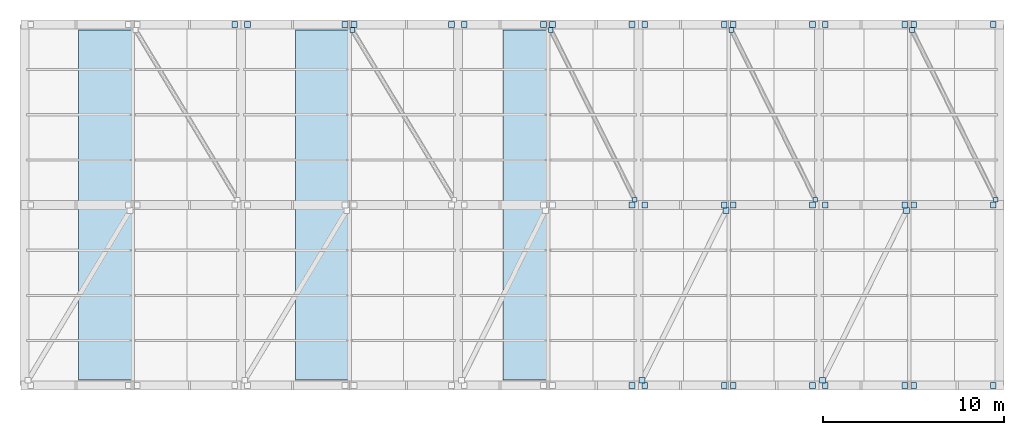
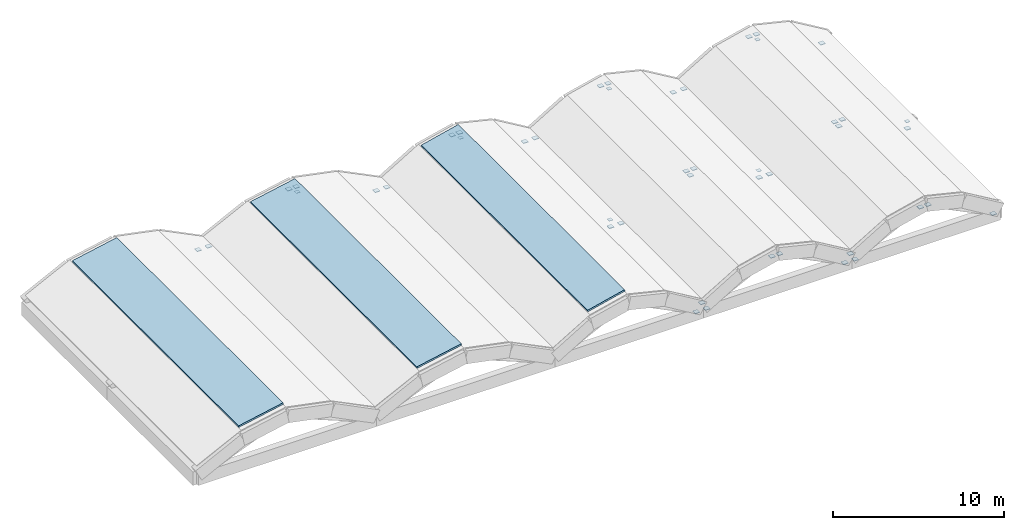
# One storey, part 3 of 3: 46 plates, 3 roofs.
"""IFC4 building model written with IfcOpenShell, lengths in metres."""

from ifc_helpers import new_model, si_unit, direction, frame, origin, origin_2d, place, context, subcontext, project, spatial, polyline, rectangle, outline, extrude, material, layer, layer_set, type_object, element, save


model = new_model("IFC4")

# Units and contexts
model_context = context("Model", 3, precision=1e-05, world=origin(), true_north=direction((0.0, 1.0)))
body_context = subcontext(model_context, "Body", "Model", "MODEL_VIEW")
ifc_project = project(units=[si_unit("LENGTHUNIT", "METRE"), si_unit("AREAUNIT", "SQUARE_METRE"), si_unit("VOLUMEUNIT", "CUBIC_METRE"), si_unit("PLANEANGLEUNIT", "RADIAN"), si_unit("MASSUNIT", "GRAM", prefix="KILO")], contexts=[model_context])

# Site, building, storey
site_placement = place(None, origin())
site = spatial("IfcSite", under=ifc_project, at=site_placement, CompositionType="ELEMENT")
building_placement = place(site_placement, origin())
building = spatial("IfcBuilding", under=site, at=building_placement, Name="Mersad Railyard Sports Hall", CompositionType="ELEMENT")
storey_placement = place(building_placement, frame((0.0, 0.0, 25.800048828125)))
storey = spatial("IfcBuildingStorey", under=building, at=storey_placement, Name="RF", CompositionType="ELEMENT", Elevation=25.800048828125)

# Plates
ifc_material_1 = material(Name="Steel S355", Category="steel")
ifc_layer_1 = layer(ifc_material_1, 0.02392578125)
ifc_layer_set_1 = layer_set([ifc_layer_1], Name="Steel S355")
plate_type_1 = type_object("IfcPlateType", Name="STR-PL-KP04", PredefinedType="SHEET", material=ifc_layer_set_1)
for number, where, z_axis, x_axis, name in (
    (1, (85.14990234375, 114.699951171875, 1.587890625), (0.0, 0.0, 1.0), (1.0, 0.0, 0.0), "End cap plate KP04-0245"),
    (2, (96.14990234375, 114.699951171875, 1.587890625), (0.0, 0.0, 1.0), (1.0, 0.0, 0.0), "End cap plate KP04-0249"),
    (3, (100.800048828125, 105.300048828125, -0.162109375), (0.0, 0.0, 1.0), (1.0, 0.0, 0.0), "End cap plate KP04-0250"),
    (4, (106.14990234375, 114.699951171875, 1.587890625), (0.0, 0.0, 1.0), (1.0, 0.0, 0.0), "End cap plate KP04-0253"),
    (5, (110.800048828125, 105.300048828125, -0.162109375), (0.0, 0.0, 1.0), (1.0, 0.0, 0.0), "End cap plate KP04-0254"),
    (6, (116.14990234375, 114.699951171875, 1.587890625), (0.0, 0.0, 1.0), (1.0, 0.0, 0.0), "End cap plate KP04-0257"),
    (7, (120.800048828125, 105.300048828125, -0.162109375), (0.0, 0.0, 1.0), (1.0, 0.0, 0.0), "End cap plate KP04-0258"),
):
    element("IfcPlate", number, at=place(storey_placement, frame(where, z_axis=z_axis, x_axis=x_axis)), inside=storey, type_object=plate_type_1, Name=name, PredefinedType="SHEET", context=body_context, shape_type="SweptSolid", body=[
        extrude(rectangle(XDim=0.260009765625, YDim=0.260009765625, at=origin_2d()), origin(), (0.0, 0.0, 1.0), 0.02392578125),
    ])
ifc_layer_2 = layer(ifc_material_1, 0.0400390625)
ifc_layer_set_2 = layer_set([ifc_layer_2], Name="Steel S355")
plate_type_2 = type_object("IfcPlateType", Name="STR-PL-KP06", PredefinedType="SHEET", material=ifc_layer_set_2)
for number, where, z_axis, x_axis, name in (
    (8, (78.64990234375, 115.0, -0.440185546875), (0.0, 0.0, 1.0), (1.0, 0.0, 0.0), "End cap plate KP06-0067"),
    (9, (79.35009765625, 115.0, -0.440185546875), (0.0, 0.0, 1.0), (1.0, 0.0, 0.0), "End cap plate KP06-0077"),
    (10, (84.75, 115.0, 1.72998046875), (0.0, 0.0, 1.0), (1.0, 0.0, 0.0), "End cap plate KP06-0078"),
    (11, (90.64990234375, 115.0, -0.440185546875), (0.0, 0.0, 1.0), (1.0, 0.0, 0.0), "End cap plate KP06-0079"),
    (12, (85.25, 115.0, 1.72998046875), (0.0, 0.0, 1.0), (1.0, 0.0, 0.0), "End cap plate KP06-0080"),
    (13, (100.64990234375, 95.0, -0.440185546875), (0.0, 0.0, 1.0), (1.0, 0.0, 0.0), "End cap plate KP06-0083"),
    (14, (100.64990234375, 105.0, -0.440185546875), (0.0, 0.0, 1.0), (1.0, 0.0, 0.0), "End cap plate KP06-0087"),
    (15, (91.35009765625, 115.0, -0.440185546875), (0.0, 0.0, 1.0), (1.0, 0.0, 0.0), "End cap plate KP06-0089"),
    (16, (95.75, 115.0, 1.72998046875), (0.0, 0.0, 1.0), (1.0, 0.0, 0.0), "End cap plate KP06-0090"),
    (17, (100.64990234375, 115.0, -0.440185546875), (0.0, 0.0, 1.0), (1.0, 0.0, 0.0), "End cap plate KP06-0091"),
    (18, (96.25, 115.0, 1.72998046875), (0.0, 0.0, 1.0), (1.0, 0.0, 0.0), "End cap plate KP06-0092"),
    (19, (101.35009765625, 95.0, -0.440185546875), (0.0, 0.0, 1.0), (1.0, 0.0, 0.0), "End cap plate KP06-0093"),
    (20, (105.75, 95.0, 1.72998046875), (0.0, 0.0, 1.0), (1.0, 0.0, 0.0), "End cap plate KP06-0094"),
    (21, (110.64990234375, 95.0, -0.440185546875), (0.0, 0.0, 1.0), (1.0, 0.0, 0.0), "End cap plate KP06-0095"),
    (22, (106.25, 95.0, 1.72998046875), (0.0, 0.0, 1.0), (1.0, 0.0, 0.0), "End cap plate KP06-0096"),
    (23, (101.35009765625, 105.0, -0.440185546875), (0.0, 0.0, 1.0), (1.0, 0.0, 0.0), "End cap plate KP06-0097"),
    (24, (105.75, 105.0, 1.72998046875), (0.0, 0.0, 1.0), (1.0, 0.0, 0.0), "End cap plate KP06-0098"),
    (25, (110.64990234375, 105.0, -0.440185546875), (0.0, 0.0, 1.0), (1.0, 0.0, 0.0), "End cap plate KP06-0099"),
    (26, (106.25, 105.0, 1.72998046875), (0.0, 0.0, 1.0), (1.0, 0.0, 0.0), "End cap plate KP06-0100"),
    (27, (101.35009765625, 115.0, -0.440185546875), (0.0, 0.0, 1.0), (1.0, 0.0, 0.0), "End cap plate KP06-0101"),
    (28, (105.75, 115.0, 1.72998046875), (0.0, 0.0, 1.0), (1.0, 0.0, 0.0), "End cap plate KP06-0102"),
    (29, (110.64990234375, 115.0, -0.440185546875), (0.0, 0.0, 1.0), (1.0, 0.0, 0.0), "End cap plate KP06-0103"),
    (30, (106.25, 115.0, 1.72998046875), (0.0, 0.0, 1.0), (1.0, 0.0, 0.0), "End cap plate KP06-0104"),
    (31, (111.35009765625, 95.0, -0.440185546875), (0.0, 0.0, 1.0), (1.0, 0.0, 0.0), "End cap plate KP06-0105"),
    (32, (115.75, 95.0, 1.72998046875), (0.0, 0.0, 1.0), (1.0, 0.0, 0.0), "End cap plate KP06-0106"),
    (33, (120.64990234375, 95.0, -0.440185546875), (0.0, 0.0, 1.0), (1.0, 0.0, 0.0), "End cap plate KP06-0107"),
    (34, (116.25, 95.0, 1.72998046875), (0.0, 0.0, 1.0), (1.0, 0.0, 0.0), "End cap plate KP06-0108"),
    (35, (111.35009765625, 105.0, -0.440185546875), (0.0, 0.0, 1.0), (1.0, 0.0, 0.0), "End cap plate KP06-0109"),
    (36, (115.75, 105.0, 1.72998046875), (0.0, 0.0, 1.0), (1.0, 0.0, 0.0), "End cap plate KP06-0110"),
    (37, (120.64990234375, 105.0, -0.440185546875), (0.0, 0.0, 1.0), (1.0, 0.0, 0.0), "End cap plate KP06-0111"),
    (38, (116.25, 105.0, 1.72998046875), (0.0, 0.0, 1.0), (1.0, 0.0, 0.0), "End cap plate KP06-0112"),
    (39, (111.35009765625, 115.0, -0.440185546875), (0.0, 0.0, 1.0), (1.0, 0.0, 0.0), "End cap plate KP06-0113"),
    (40, (115.75, 115.0, 1.72998046875), (0.0, 0.0, 1.0), (1.0, 0.0, 0.0), "End cap plate KP06-0114"),
    (41, (120.64990234375, 115.0, -0.440185546875), (0.0, 0.0, 1.0), (1.0, 0.0, 0.0), "End cap plate KP06-0115"),
    (42, (116.25, 115.0, 1.72998046875), (0.0, 0.0, 1.0), (1.0, 0.0, 0.0), "End cap plate KP06-0116"),
    (43, (101.199951171875, 95.300048828125, -0.170166015625), (0.0, 0.0, 1.0), (1.0, 0.0, 0.0), "End cap plate KP06-0251"),
    (44, (105.85009765625, 104.699951171875, 1.579833984375), (0.0, 0.0, 1.0), (1.0, 0.0, 0.0), "End cap plate KP06-0252"),
    (45, (111.199951171875, 95.300048828125, -0.170166015625), (0.0, 0.0, 1.0), (1.0, 0.0, 0.0), "End cap plate KP06-0255"),
    (46, (115.85009765625, 104.699951171875, 1.579833984375), (0.0, 0.0, 1.0), (1.0, 0.0, 0.0), "End cap plate KP06-0256"),
):
    element("IfcPlate", number, at=place(storey_placement, frame(where, z_axis=z_axis, x_axis=x_axis)), inside=storey, type_object=plate_type_2, Name=name, PredefinedType="SHEET", context=body_context, shape_type="SweptSolid", body=[
        extrude(rectangle(XDim=0.320068359375, YDim=0.320068359375, at=origin_2d()), origin(), (0.0, 0.0, 1.0), 0.0400390625),
    ])

# Roofs
ifc_material_2 = material(Name="Architectural concrete C50/60", Category="concrete")
ifc_layer_3 = layer(ifc_material_2, 0.1201171875)
ifc_layer_set_3 = layer_set([ifc_layer_3], Name="Architectural concrete C50/60")
roof_type = type_object("IfcRoofType", Name="ARC-RF-BV01", PredefinedType="BARREL_ROOF", material=ifc_layer_set_3)
for number, where, z_axis, x_axis, name in (
    (47, (70.0, 95.300048828125, 2.0), (-0.196070096109, 0.0, 0.980589882373), (0.980589882373, 0.0, 0.196070096109), "Wing concrete barrel-vault crown cap W-1"),
    (48, (82.0, 95.300048828125, 2.0), (-0.196070096109, 0.0, 0.980589882373), (0.980589882373, 0.0, 0.196070096109), "Wing concrete barrel-vault crown cap W-2"),
):
    element("IfcRoof", number, at=place(storey_placement, frame(where, z_axis=z_axis, x_axis=x_axis)), inside=storey, type_object=roof_type, Name=name, PredefinedType="BARREL_ROOF", context=body_context, shape_type="SweptSolid", body=[
        extrude(outline(polyline([(0.0, 0.0), (3.059382983578171, 0.0), (3.059382983578171, 19.39990234375), (0.0, 19.39990234375), (0.0, 0.0)])), origin(), (0.0, 0.0, -1.0), 0.1201171875),
    ])
roof_placement = place(storey_placement, frame((93.5, 95.300048828125, 2.0), z_axis=(-0.233319078653, 0.0, 0.97240023012), x_axis=(0.97240023012, 0.0, 0.233319078653)))
element("IfcRoof", 49, at=roof_placement, inside=storey, type_object=roof_type, Name="Wing concrete barrel-vault crown cap W-3", PredefinedType="BARREL_ROOF", context=body_context, shape_type="SweptSolid", body=[
    extrude(outline(polyline([(0.0, 0.0), (2.5709578448912134, 0.0), (2.5709578448912134, 19.39990234375), (0.0, 19.39990234375), (0.0, 0.0)])), origin(), (0.0, 0.0, -1.0), 0.1201171875),
])

save(model, "model.ifc")
